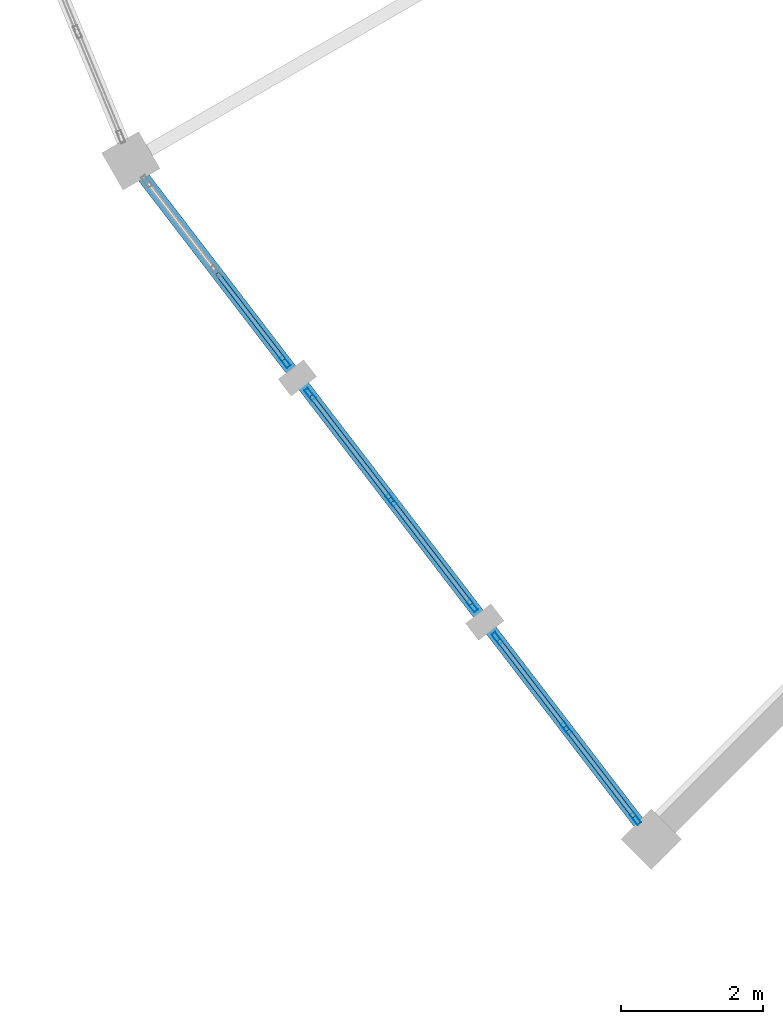
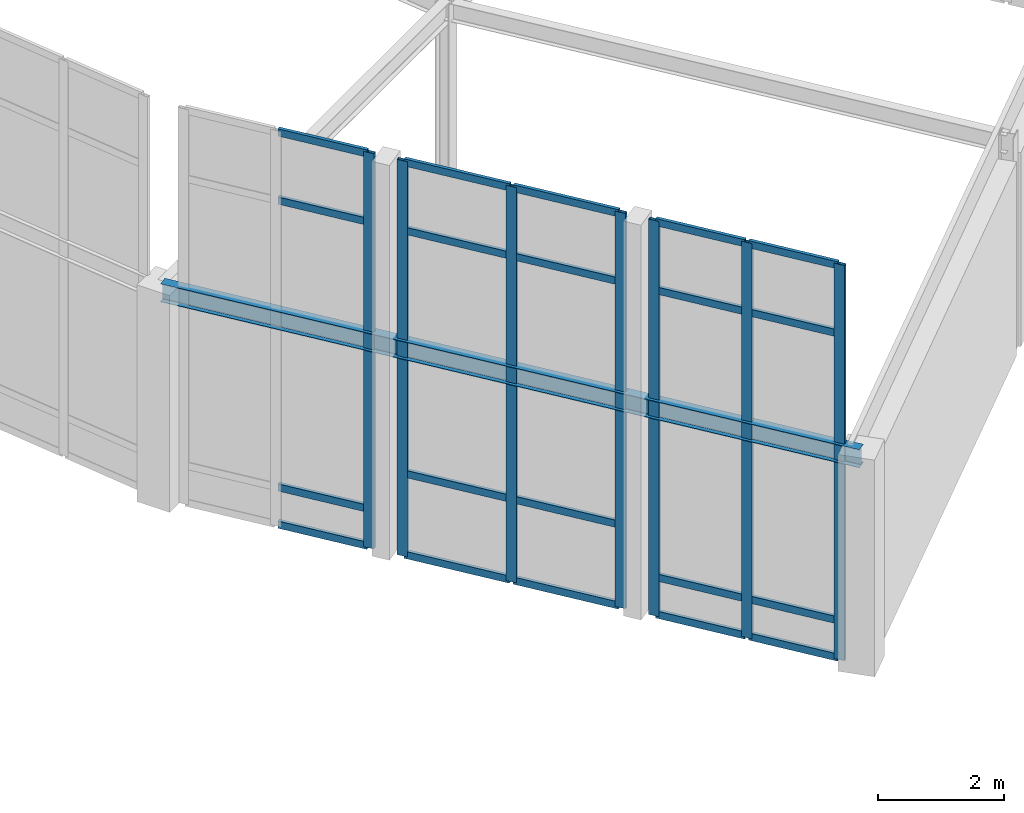
# One storey, part 27 of 93: 27 members, 1 beam, 3 elements without a shape of their own.
"""IFC4 building model written with IfcOpenShell, lengths in metres."""

from ifc_helpers import new_model, si_unit, direction, frame, origin, origin_2d, place, context, subcontext, project, spatial, hollow_rectangle, i_section, extrude, material, material_profile, profile_set, type_object, element, aggregate, save


model = new_model("IFC4")

# Units and contexts
model_context = context("Model", 3, precision=1e-05, world=origin(), true_north=direction((0.0, 1.0)))
body_context = subcontext(model_context, "Body", "Model", "MODEL_VIEW")
ifc_project = project(units=[si_unit("LENGTHUNIT", "METRE"), si_unit("AREAUNIT", "SQUARE_METRE"), si_unit("VOLUMEUNIT", "CUBIC_METRE"), si_unit("PLANEANGLEUNIT", "RADIAN"), si_unit("MASSUNIT", "GRAM", prefix="KILO")], contexts=[model_context])

# Site, building, storey
site_placement = place(None, origin())
site = spatial("IfcSite", under=ifc_project, at=site_placement, CompositionType="ELEMENT")
building_placement = place(site_placement, origin())
building = spatial("IfcBuilding", under=site, at=building_placement, Name="Vondelvale Polytechnic", CompositionType="ELEMENT")
storey_placement = place(building_placement, frame((0.0, 0.0, 18.0)))
storey = spatial("IfcBuildingStorey", under=building, at=storey_placement, Name="L04", CompositionType="ELEMENT", Elevation=18.0)

# Beam
ifc_material_1 = material(Name="Steel 300PLUS (fy = 300 MPa)", Category="steel")
ifc_material_profile_1 = material_profile(ifc_material_1, i_section(OverallWidth=0.1708984375, OverallDepth=0.35205078125, WebThickness=0.0068359375, FlangeThickness=0.009765625, FilletRadius=0.011474609375, at=origin_2d()), Name="360UB44.7")
ifc_profile_set_1 = profile_set([ifc_material_profile_1], Name="Steel 300PLUS (fy = 300 MPa)")
beam_type = type_object("IfcBeamType", Name="BM-UB360L", PredefinedType="BEAM", material=ifc_profile_set_1)
beam_placement = place(storey_placement, frame((62.162841796875, 49.0, 4.02392578125), z_axis=(0.608766116008, -0.793349743808, 0.0), x_axis=(0.793349743808, 0.608766116008, 0.0)))
element("IfcBeam", 1, at=beam_placement, inside=storey, type_object=beam_type, Name="L04 RE B-24", PredefinedType="BEAM", context=body_context, shape_type="SweptSolid", body=[
    extrude(i_section(OverallWidth=0.1708984375, OverallDepth=0.35205078125, WebThickness=0.0068359375, FlangeThickness=0.009765625, FilletRadius=0.011474609375, at=origin_2d()), origin(), (0.0, 0.0, 1.0), 12.00830078125),
])

# Curtain wall, member
ifc_material_2 = material(Name="Glulam GL18 structural Tasmanian oak (fb = 42 MPa)", Category="wood")
curtain_wall_type = type_object("IfcCurtainWallType", Name="CW-RING-OUTER", PredefinedType="NOTDEFINED", material=ifc_material_2)
curtain_wall_1_placement = place(storey_placement, origin())
curtain_wall_1 = element("IfcCurtainWall", 2, at=curtain_wall_1_placement, inside=storey, type_object=curtain_wall_type, Name="L04 architectural curtain wall CW-04-311", PredefinedType="NOTDEFINED")
ifc_material_3 = material(Name="Anodised extruded aluminium 6063-T6", Category="aluminium")
ifc_material_profile_2 = material_profile(ifc_material_3, hollow_rectangle(XDim=0.06494140625, YDim=0.179931640625, WallThickness=0.00390625, at=origin_2d()), Name="CW-MUL-180x65")
ifc_profile_set_2 = profile_set([ifc_material_profile_2], Name="Anodised extruded aluminium 6063-T6")
member_type_1 = type_object("IfcMemberType", Name="CW-MUL-65x180", PredefinedType="MULLION", material=ifc_profile_set_2)
member_1_placement = place(storey_placement, frame((64.3271484375, 46.179443359375, 0.0), z_axis=(0.0, 0.0, 1.0), x_axis=(0.793333825656, 0.608786860133, 0.0)))
member_1 = element("IfcMember", 3, at=member_1_placement, type_object=member_type_1, Name="CW-04-311 mullion 3", PredefinedType="MULLION", context=body_context, shape_type="SweptSolid", body=[
    extrude(hollow_rectangle(XDim=0.06494140625, YDim=0.179931640625, WallThickness=0.00390625, at=origin_2d()), origin(), (0.0, 0.0, 1.0), 7.661376953125),
])

# Curtain wall, members
curtain_wall_2_placement = place(storey_placement, origin())
curtain_wall_2 = element("IfcCurtainWall", 4, at=curtain_wall_2_placement, inside=storey, type_object=curtain_wall_type, Name="L04 architectural curtain wall CW-04-312", PredefinedType="NOTDEFINED")
member_2_placement = place(storey_placement, frame((64.677001953125, 45.723388671875, 0.0), z_axis=(0.0, 0.0, 1.0), x_axis=(0.793345851043, 0.608771189063, 0.0)))
member_2 = element("IfcMember", 5, at=member_2_placement, type_object=member_type_1, Name="CW-04-312 mullion 1", PredefinedType="MULLION", context=body_context, shape_type="SweptSolid", body=[
    extrude(hollow_rectangle(XDim=0.06494140625, YDim=0.179931640625, WallThickness=0.00390625, at=origin_2d()), origin(), (0.0, 0.0, 1.0), 7.661376953125),
])
member_3_placement = place(storey_placement, frame((65.81787109375, 44.236572265625, 0.0), z_axis=(0.0, 0.0, 1.0), x_axis=(0.793345851043, 0.608771189063, 0.0)))
member_3 = element("IfcMember", 6, at=member_3_placement, type_object=member_type_1, Name="CW-04-312 mullion 2", PredefinedType="MULLION", context=body_context, shape_type="SweptSolid", body=[
    extrude(hollow_rectangle(XDim=0.06494140625, YDim=0.179931640625, WallThickness=0.00390625, at=origin_2d()), origin(), (0.0, 0.0, 1.0), 7.661376953125),
])
member_4_placement = place(storey_placement, frame((66.958740234375, 42.749755859375, 0.0), z_axis=(0.0, 0.0, 1.0), x_axis=(0.793345851043, 0.608771189063, 0.0)))
member_4 = element("IfcMember", 7, at=member_4_placement, type_object=member_type_1, Name="CW-04-312 mullion 3", PredefinedType="MULLION", context=body_context, shape_type="SweptSolid", body=[
    extrude(hollow_rectangle(XDim=0.06494140625, YDim=0.179931640625, WallThickness=0.00390625, at=origin_2d()), origin(), (0.0, 0.0, 1.0), 7.661376953125),
])

curtain_wall_3_placement = place(storey_placement, origin())
curtain_wall_3 = element("IfcCurtainWall", 8, at=curtain_wall_3_placement, inside=storey, type_object=curtain_wall_type, Name="L04 architectural curtain wall CW-04-313", PredefinedType="NOTDEFINED")
member_5_placement = place(storey_placement, frame((67.308837890625, 42.293701171875, 0.0), z_axis=(0.0, 0.0, 1.0), x_axis=(0.793333825656, 0.608786860133, 0.0)))
member_5 = element("IfcMember", 9, at=member_5_placement, type_object=member_type_1, Name="CW-04-313 mullion 1", PredefinedType="MULLION", context=body_context, shape_type="SweptSolid", body=[
    extrude(hollow_rectangle(XDim=0.06494140625, YDim=0.179931640625, WallThickness=0.00390625, at=origin_2d()), origin(), (0.0, 0.0, 1.0), 7.661376953125),
])
member_6_placement = place(storey_placement, frame((68.27978515625, 41.0283203125, 0.0), z_axis=(0.0, 0.0, 1.0), x_axis=(0.793333825656, 0.608786860133, 0.0)))
member_6 = element("IfcMember", 10, at=member_6_placement, type_object=member_type_1, Name="CW-04-313 mullion 2", PredefinedType="MULLION", context=body_context, shape_type="SweptSolid", body=[
    extrude(hollow_rectangle(XDim=0.06494140625, YDim=0.179931640625, WallThickness=0.00390625, at=origin_2d()), origin(), (0.0, 0.0, 1.0), 7.661376953125),
])
member_7_placement = place(storey_placement, frame((69.250732421875, 39.762939453125, 0.0), z_axis=(0.0, 0.0, 1.0), x_axis=(0.793333825656, 0.608786860133, 0.0)))
member_7 = element("IfcMember", 11, at=member_7_placement, type_object=member_type_1, Name="CW-04-313 mullion 3", PredefinedType="MULLION", context=body_context, shape_type="SweptSolid", body=[
    extrude(hollow_rectangle(XDim=0.06494140625, YDim=0.179931640625, WallThickness=0.00390625, at=origin_2d()), origin(), (0.0, 0.0, 1.0), 7.661376953125),
])

# Member
ifc_material_profile_3 = material_profile(ifc_material_3, hollow_rectangle(XDim=0.06005859375, YDim=0.139892578125, WallThickness=0.00341796875, at=origin_2d()), Name="CW-TRN-140x60")
ifc_profile_set_3 = profile_set([ifc_material_profile_3], Name="Anodised extruded aluminium 6063-T6")
member_type_2 = type_object("IfcMemberType", Name="CW-TRN-60x140", PredefinedType="USERDEFINED", material=ifc_profile_set_3)
member_8_placement = place(storey_placement, frame((63.3759765625, 47.4189453125, 0.030029296875), z_axis=(0.60882345649, -0.793305741078, 0.0), x_axis=(0.793305741078, 0.60882345649, 0.0)))
member_8 = element("IfcMember", 12, at=member_8_placement, type_object=member_type_2, Name="CW-04-311 transom 2.1", ObjectType="TRANSOM", PredefinedType="USERDEFINED", context=body_context, shape_type="SweptSolid", body=[
    extrude(hollow_rectangle(XDim=0.06005859375, YDim=0.139892578125, WallThickness=0.00341796875, at=origin_2d()), origin(), (0.0, 0.0, 1.0), 1.52978515625),
])

member_9_placement = place(storey_placement, frame((63.3759765625, 47.4189453125, 0.75), z_axis=(0.60882345649, -0.793305741078, 0.0), x_axis=(0.793305741078, 0.60882345649, 0.0)))
member_9 = element("IfcMember", 13, at=member_9_placement, type_object=member_type_2, Name="CW-04-311 transom 2.2", ObjectType="TRANSOM", PredefinedType="USERDEFINED", context=body_context, shape_type="SweptSolid", body=[
    extrude(hollow_rectangle(XDim=0.06005859375, YDim=0.139892578125, WallThickness=0.00341796875, at=origin_2d()), origin(), (0.0, 0.0, 1.0), 1.52978515625),
])

member_10_placement = place(storey_placement, frame((63.3759765625, 47.4189453125, 6.311279296875), z_axis=(0.60882345649, -0.793305741078, 0.0), x_axis=(0.793305741078, 0.60882345649, 0.0)))
member_10 = element("IfcMember", 14, at=member_10_placement, type_object=member_type_2, Name="CW-04-311 transom 2.3", ObjectType="TRANSOM", PredefinedType="USERDEFINED", context=body_context, shape_type="SweptSolid", body=[
    extrude(hollow_rectangle(XDim=0.06005859375, YDim=0.139892578125, WallThickness=0.00341796875, at=origin_2d()), origin(), (0.0, 0.0, 1.0), 1.52978515625),
])

member_11_placement = place(storey_placement, frame((63.3759765625, 47.4189453125, 7.63134765625), z_axis=(0.60882345649, -0.793305741078, 0.0), x_axis=(0.793305741078, 0.60882345649, 0.0)))
member_11 = element("IfcMember", 15, at=member_11_placement, type_object=member_type_2, Name="CW-04-311 transom 2.4", ObjectType="TRANSOM", PredefinedType="USERDEFINED", context=body_context, shape_type="SweptSolid", body=[
    extrude(hollow_rectangle(XDim=0.06005859375, YDim=0.139892578125, WallThickness=0.00341796875, at=origin_2d()), origin(), (0.0, 0.0, 1.0), 1.52978515625),
])

aggregate(curtain_wall_1, [member_1, member_8, member_9, member_10, member_11])

member_12_placement = place(storey_placement, frame((64.69677734375, 45.697509765625, 0.030029296875), z_axis=(0.608816809849, -0.793310842007, 0.0), x_axis=(0.793310842007, 0.608816809849, 0.0)))
member_12 = element("IfcMember", 16, at=member_12_placement, type_object=member_type_2, Name="CW-04-312 transom 1.1", ObjectType="TRANSOM", PredefinedType="USERDEFINED", context=body_context, shape_type="SweptSolid", body=[
    extrude(hollow_rectangle(XDim=0.06005859375, YDim=0.139892578125, WallThickness=0.00341796875, at=origin_2d()), origin(), (0.0, 0.0, 1.0), 1.808837890625),
])

member_13_placement = place(storey_placement, frame((64.69677734375, 45.697509765625, 1.60009765625), z_axis=(0.608816809849, -0.793310842007, 0.0), x_axis=(0.793310842007, 0.608816809849, 0.0)))
member_13 = element("IfcMember", 17, at=member_13_placement, type_object=member_type_2, Name="CW-04-312 transom 1.2", ObjectType="TRANSOM", PredefinedType="USERDEFINED", context=body_context, shape_type="SweptSolid", body=[
    extrude(hollow_rectangle(XDim=0.06005859375, YDim=0.139892578125, WallThickness=0.00341796875, at=origin_2d()), origin(), (0.0, 0.0, 1.0), 1.808837890625),
])

member_14_placement = place(storey_placement, frame((64.69677734375, 45.697509765625, 6.311279296875), z_axis=(0.608816809849, -0.793310842007, 0.0), x_axis=(0.793310842007, 0.608816809849, 0.0)))
member_14 = element("IfcMember", 18, at=member_14_placement, type_object=member_type_2, Name="CW-04-312 transom 1.3", ObjectType="TRANSOM", PredefinedType="USERDEFINED", context=body_context, shape_type="SweptSolid", body=[
    extrude(hollow_rectangle(XDim=0.06005859375, YDim=0.139892578125, WallThickness=0.00341796875, at=origin_2d()), origin(), (0.0, 0.0, 1.0), 1.808837890625),
])

member_15_placement = place(storey_placement, frame((64.69677734375, 45.697509765625, 7.63134765625), z_axis=(0.608816809849, -0.793310842007, 0.0), x_axis=(0.793310842007, 0.608816809849, 0.0)))
member_15 = element("IfcMember", 19, at=member_15_placement, type_object=member_type_2, Name="CW-04-312 transom 1.4", ObjectType="TRANSOM", PredefinedType="USERDEFINED", context=body_context, shape_type="SweptSolid", body=[
    extrude(hollow_rectangle(XDim=0.06005859375, YDim=0.139892578125, WallThickness=0.00341796875, at=origin_2d()), origin(), (0.0, 0.0, 1.0), 1.808837890625),
])

member_16_placement = place(storey_placement, frame((65.837646484375, 44.210693359375, 0.030029296875), z_axis=(0.608816809849, -0.793310842007, 0.0), x_axis=(0.793310842007, 0.608816809849, 0.0)))
member_16 = element("IfcMember", 20, at=member_16_placement, type_object=member_type_2, Name="CW-04-312 transom 2.1", ObjectType="TRANSOM", PredefinedType="USERDEFINED", context=body_context, shape_type="SweptSolid", body=[
    extrude(hollow_rectangle(XDim=0.06005859375, YDim=0.139892578125, WallThickness=0.00341796875, at=origin_2d()), origin(), (0.0, 0.0, 1.0), 1.808837890625),
])

member_17_placement = place(storey_placement, frame((65.837646484375, 44.210693359375, 1.60009765625), z_axis=(0.608816809849, -0.793310842007, 0.0), x_axis=(0.793310842007, 0.608816809849, 0.0)))
member_17 = element("IfcMember", 21, at=member_17_placement, type_object=member_type_2, Name="CW-04-312 transom 2.2", ObjectType="TRANSOM", PredefinedType="USERDEFINED", context=body_context, shape_type="SweptSolid", body=[
    extrude(hollow_rectangle(XDim=0.06005859375, YDim=0.139892578125, WallThickness=0.00341796875, at=origin_2d()), origin(), (0.0, 0.0, 1.0), 1.808837890625),
])

member_18_placement = place(storey_placement, frame((65.837646484375, 44.210693359375, 6.311279296875), z_axis=(0.608816809849, -0.793310842007, 0.0), x_axis=(0.793310842007, 0.608816809849, 0.0)))
member_18 = element("IfcMember", 22, at=member_18_placement, type_object=member_type_2, Name="CW-04-312 transom 2.3", ObjectType="TRANSOM", PredefinedType="USERDEFINED", context=body_context, shape_type="SweptSolid", body=[
    extrude(hollow_rectangle(XDim=0.06005859375, YDim=0.139892578125, WallThickness=0.00341796875, at=origin_2d()), origin(), (0.0, 0.0, 1.0), 1.808837890625),
])

member_19_placement = place(storey_placement, frame((65.837646484375, 44.210693359375, 7.63134765625), z_axis=(0.608816809849, -0.793310842007, 0.0), x_axis=(0.793310842007, 0.608816809849, 0.0)))
member_19 = element("IfcMember", 23, at=member_19_placement, type_object=member_type_2, Name="CW-04-312 transom 2.4", ObjectType="TRANSOM", PredefinedType="USERDEFINED", context=body_context, shape_type="SweptSolid", body=[
    extrude(hollow_rectangle(XDim=0.06005859375, YDim=0.139892578125, WallThickness=0.00341796875, at=origin_2d()), origin(), (0.0, 0.0, 1.0), 1.808837890625),
])

aggregate(curtain_wall_2, [member_2, member_3, member_4, member_12, member_13, member_14, member_15, member_16, member_17, member_18, member_19])

member_20_placement = place(storey_placement, frame((67.32861328125, 42.267822265625, 0.030029296875), z_axis=(0.608746385664, -0.793364883229, 0.0), x_axis=(0.793364883229, 0.608746385664, 0.0)))
member_20 = element("IfcMember", 24, at=member_20_placement, type_object=member_type_2, Name="CW-04-313 transom 1.1", ObjectType="TRANSOM", PredefinedType="USERDEFINED", context=body_context, shape_type="SweptSolid", body=[
    extrude(hollow_rectangle(XDim=0.06005859375, YDim=0.139892578125, WallThickness=0.00341796875, at=origin_2d()), origin(), (0.0, 0.0, 1.0), 1.530029296875),
])

member_21_placement = place(storey_placement, frame((67.32861328125, 42.267822265625, 0.75), z_axis=(0.608746385664, -0.793364883229, 0.0), x_axis=(0.793364883229, 0.608746385664, 0.0)))
member_21 = element("IfcMember", 25, at=member_21_placement, type_object=member_type_2, Name="CW-04-313 transom 1.2", ObjectType="TRANSOM", PredefinedType="USERDEFINED", context=body_context, shape_type="SweptSolid", body=[
    extrude(hollow_rectangle(XDim=0.06005859375, YDim=0.139892578125, WallThickness=0.00341796875, at=origin_2d()), origin(), (0.0, 0.0, 1.0), 1.530029296875),
])

member_22_placement = place(storey_placement, frame((67.32861328125, 42.267822265625, 6.311279296875), z_axis=(0.608746385664, -0.793364883229, 0.0), x_axis=(0.793364883229, 0.608746385664, 0.0)))
member_22 = element("IfcMember", 26, at=member_22_placement, type_object=member_type_2, Name="CW-04-313 transom 1.3", ObjectType="TRANSOM", PredefinedType="USERDEFINED", context=body_context, shape_type="SweptSolid", body=[
    extrude(hollow_rectangle(XDim=0.06005859375, YDim=0.139892578125, WallThickness=0.00341796875, at=origin_2d()), origin(), (0.0, 0.0, 1.0), 1.530029296875),
])

member_23_placement = place(storey_placement, frame((67.32861328125, 42.267822265625, 7.63134765625), z_axis=(0.608746385664, -0.793364883229, 0.0), x_axis=(0.793364883229, 0.608746385664, 0.0)))
member_23 = element("IfcMember", 27, at=member_23_placement, type_object=member_type_2, Name="CW-04-313 transom 1.4", ObjectType="TRANSOM", PredefinedType="USERDEFINED", context=body_context, shape_type="SweptSolid", body=[
    extrude(hollow_rectangle(XDim=0.06005859375, YDim=0.139892578125, WallThickness=0.00341796875, at=origin_2d()), origin(), (0.0, 0.0, 1.0), 1.530029296875),
])

member_24_placement = place(storey_placement, frame((68.299560546875, 41.00244140625, 0.030029296875), z_axis=(0.608746385664, -0.793364883229, 0.0), x_axis=(0.793364883229, 0.608746385664, 0.0)))
member_24 = element("IfcMember", 28, at=member_24_placement, type_object=member_type_2, Name="CW-04-313 transom 2.1", ObjectType="TRANSOM", PredefinedType="USERDEFINED", context=body_context, shape_type="SweptSolid", body=[
    extrude(hollow_rectangle(XDim=0.06005859375, YDim=0.139892578125, WallThickness=0.00341796875, at=origin_2d()), origin(), (0.0, 0.0, 1.0), 1.530029296875),
])

member_25_placement = place(storey_placement, frame((68.299560546875, 41.00244140625, 0.75), z_axis=(0.608746385664, -0.793364883229, 0.0), x_axis=(0.793364883229, 0.608746385664, 0.0)))
member_25 = element("IfcMember", 29, at=member_25_placement, type_object=member_type_2, Name="CW-04-313 transom 2.2", ObjectType="TRANSOM", PredefinedType="USERDEFINED", context=body_context, shape_type="SweptSolid", body=[
    extrude(hollow_rectangle(XDim=0.06005859375, YDim=0.139892578125, WallThickness=0.00341796875, at=origin_2d()), origin(), (0.0, 0.0, 1.0), 1.530029296875),
])

member_26_placement = place(storey_placement, frame((68.299560546875, 41.00244140625, 6.311279296875), z_axis=(0.608746385664, -0.793364883229, 0.0), x_axis=(0.793364883229, 0.608746385664, 0.0)))
member_26 = element("IfcMember", 30, at=member_26_placement, type_object=member_type_2, Name="CW-04-313 transom 2.3", ObjectType="TRANSOM", PredefinedType="USERDEFINED", context=body_context, shape_type="SweptSolid", body=[
    extrude(hollow_rectangle(XDim=0.06005859375, YDim=0.139892578125, WallThickness=0.00341796875, at=origin_2d()), origin(), (0.0, 0.0, 1.0), 1.530029296875),
])

member_27_placement = place(storey_placement, frame((68.299560546875, 41.00244140625, 7.63134765625), z_axis=(0.608746385664, -0.793364883229, 0.0), x_axis=(0.793364883229, 0.608746385664, 0.0)))
member_27 = element("IfcMember", 31, at=member_27_placement, type_object=member_type_2, Name="CW-04-313 transom 2.4", ObjectType="TRANSOM", PredefinedType="USERDEFINED", context=body_context, shape_type="SweptSolid", body=[
    extrude(hollow_rectangle(XDim=0.06005859375, YDim=0.139892578125, WallThickness=0.00341796875, at=origin_2d()), origin(), (0.0, 0.0, 1.0), 1.530029296875),
])

aggregate(curtain_wall_3, [member_5, member_6, member_7, member_20, member_21, member_22, member_23, member_24, member_25, member_26, member_27])

save(model, "model.ifc")
